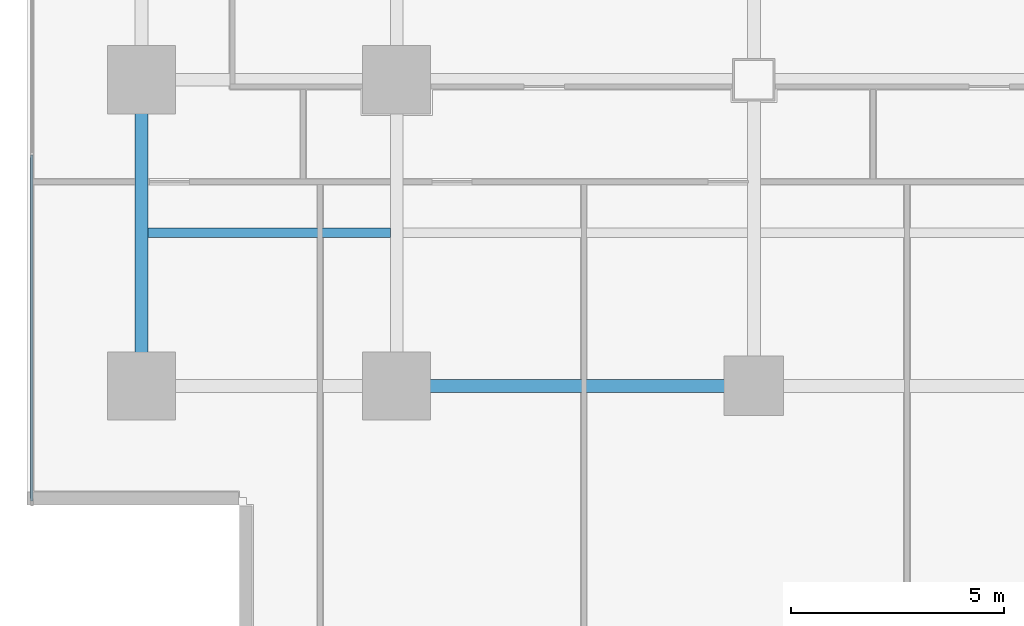
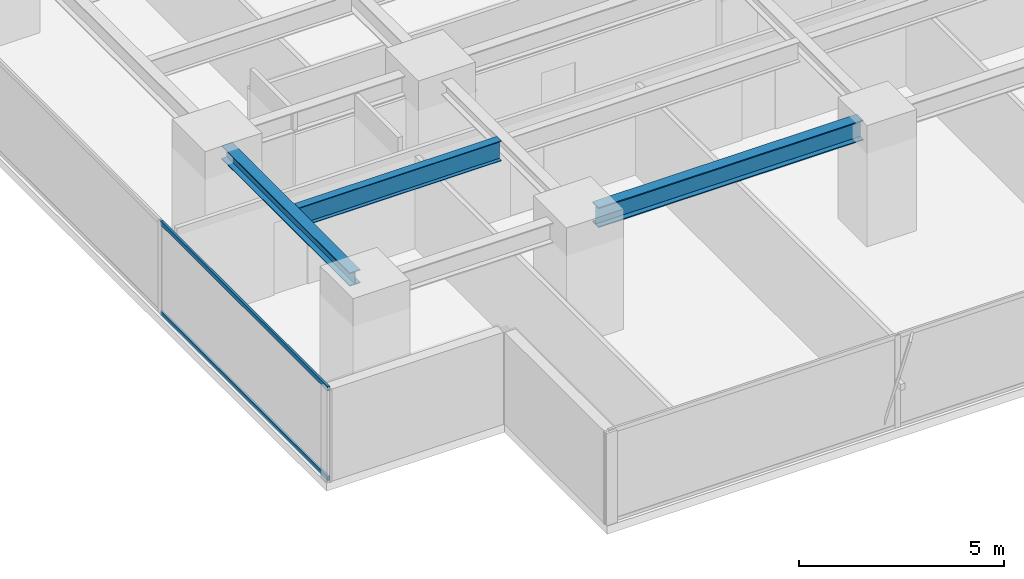
# One storey, part 3 of 36: 3 beams, 2 members, 1 element without a shape of its own.
"""IFC4 building model written with IfcOpenShell, lengths in metres."""

from ifc_helpers import new_model, si_unit, direction, frame, origin, origin_2d, place, context, subcontext, project, spatial, hollow_rectangle, i_section, extrude, source, transform, mapped, material, layer, layer_set, material_profile, profile_set, type_object, element, aggregate, save


model = new_model("IFC4")

# Units and contexts
model_context = context("Model", 3, precision=1e-05, world=origin(), true_north=direction((0.0, 1.0)))
body_context = subcontext(model_context, "Body", "Model", "MODEL_VIEW")
ifc_project = project(units=[si_unit("LENGTHUNIT", "METRE"), si_unit("AREAUNIT", "SQUARE_METRE"), si_unit("VOLUMEUNIT", "CUBIC_METRE"), si_unit("PLANEANGLEUNIT", "RADIAN"), si_unit("MASSUNIT", "GRAM", prefix="KILO")], contexts=[model_context])

# Site, building, storey
site_placement = place(None, origin())
site = spatial("IfcSite", under=ifc_project, at=site_placement, CompositionType="ELEMENT")
building_placement = place(site_placement, origin())
building = spatial("IfcBuilding", under=site, at=building_placement, Name="Sumidabori Civic Tower", CompositionType="ELEMENT")
storey_placement = place(building_placement, frame((0.0, 0.0, 84.800048828125)))
storey = spatial("IfcBuildingStorey", under=building, at=storey_placement, Name="L21", CompositionType="ELEMENT", Elevation=84.800048828125)

# Beams
ifc_material_1 = material(Name="Steel SN490", Category="steel")
ifc_material_profile_1 = material_profile(ifc_material_1, i_section(OverallWidth=0.300048828125, OverallDepth=0.60009765625, WebThickness=0.015380859375, FlangeThickness=0.030029296875, at=origin_2d()), Name="HE 600 B")
ifc_profile_set_1 = profile_set([ifc_material_profile_1], Name="Steel SN490")
beam_type_1 = type_object("IfcBeamType", Name="BM-GIRD-600", PredefinedType="BEAM", material=ifc_profile_set_1)
shared_shape_1 = source(origin(), body_context, "Body", "SweptSolid", [
    extrude(i_section(OverallWidth=0.300048828125, OverallDepth=0.60009765625, WebThickness=0.015380859375, FlangeThickness=0.030029296875, at=origin_2d()), origin(), (0.0, 0.0, 1.0), 7.440185546875),
])
beam_1_placement = place(storey_placement, frame((-16.320068359375, -18.0, 3.06005859375), z_axis=(1.0, 0.0, 0.0), x_axis=(0.0, 1.0, 0.0)))
element("IfcBeam", 1, at=beam_1_placement, inside=storey, type_object=beam_type_1, Name="Primary Girder L21 GX-02", PredefinedType="BEAM", context=body_context, shape_type="MappedRepresentation", body=[
    mapped(shared_shape_1, transform((0.0, 0.0, 0.0), x_axis=(1.0, 0.0, 0.0), y_axis=(0.0, 1.0, 0.0), z_axis=(0.0, 0.0, 1.0), scale=1.0)),
])
ifc_material_profile_2 = material_profile(ifc_material_1, i_section(OverallWidth=0.300048828125, OverallDepth=0.39990234375, WebThickness=0.013427734375, FlangeThickness=0.02392578125, at=origin_2d()), Name="HE 400 B")
ifc_profile_set_2 = profile_set([ifc_material_profile_2], Name="Steel SN490")
beam_type_2 = type_object("IfcBeamType", Name="BM-GIRD-400", PredefinedType="BEAM", material=ifc_profile_set_2)
shared_shape_2 = source(origin(), body_context, "Body", "SweptSolid", [
    extrude(i_section(OverallWidth=0.300048828125, OverallDepth=0.39990234375, WebThickness=0.013427734375, FlangeThickness=0.02392578125, at=origin_2d()), origin(), (0.0, 0.0, 1.0), 6.239990234375),
])
beam_2_placement = place(storey_placement, frame((-22.800048828125, -17.52001953125, 3.159912109375), z_axis=(0.0, 1.0, 0.0), x_axis=(-1.0, 0.0, 0.0)))
element("IfcBeam", 2, at=beam_2_placement, inside=storey, type_object=beam_type_2, Name="Primary Girder L21 GY-21", PredefinedType="BEAM", context=body_context, shape_type="MappedRepresentation", body=[
    mapped(shared_shape_2, transform((0.0, 0.0, 0.0), x_axis=(1.0, 0.0, 0.0), y_axis=(0.0, 1.0, 0.0), z_axis=(0.0, 0.0, 1.0), scale=1.0)),
])
ifc_material_profile_3 = material_profile(ifc_material_1, i_section(OverallWidth=0.219970703125, OverallDepth=0.60009765625, WebThickness=0.011962890625, FlangeThickness=0.01904296875, at=origin_2d()), Name="IPE 600")
ifc_profile_set_3 = profile_set([ifc_material_profile_3], Name="Steel SN490")
beam_type_3 = type_object("IfcBeamType", Name="BM-JST-600", PredefinedType="JOIST", material=ifc_profile_set_3)
shared_shape_3 = source(origin(), body_context, "Body", "SweptSolid", [
    extrude(i_section(OverallWidth=0.219970703125, OverallDepth=0.60009765625, WebThickness=0.011962890625, FlangeThickness=0.01904296875, at=origin_2d()), origin(), (0.0, 0.0, 1.0), 5.699951171875),
])
beam_3_placement = place(storey_placement, frame((-22.64990234375, -14.39990234375, 3.06005859375), z_axis=(1.0, 0.0, 0.0), x_axis=(0.0, 1.0, 0.0)))
element("IfcBeam", 3, at=beam_3_placement, inside=storey, type_object=beam_type_3, Name="Outer Bay Floor Joist L21 JSTO-51", PredefinedType="JOIST", context=body_context, shape_type="MappedRepresentation", body=[
    mapped(shared_shape_3, transform((0.0, 0.0, 0.0), x_axis=(1.0, 0.0, 0.0), y_axis=(0.0, 1.0, 0.0), z_axis=(0.0, 0.0, 1.0), scale=1.0)),
])

# Curtain wall, members
ifc_material_2 = material(Name="Anodised Bronze Aluminium AW-6063-T6", Category="aluminium")
ifc_layer = layer(ifc_material_2, 0.179931640625, Name="Anodised Bronze Aluminium AW-6063-T6")
ifc_layer_set = layer_set([ifc_layer], Name="Anodised Bronze Aluminium AW-6063-T6")
curtain_wall_type = type_object("IfcCurtainWallType", Name="CW-SYS-3", PredefinedType="NOTDEFINED", material=ifc_layer_set)
curtain_wall_placement = place(storey_placement, origin())
curtain_wall = element("IfcCurtainWall", 4, at=curtain_wall_placement, inside=storey, type_object=curtain_wall_type, Name="Curtain Wall CW:L21:R10", PredefinedType="NOTDEFINED")
ifc_material_profile_4 = material_profile(ifc_material_2, hollow_rectangle(XDim=0.06005859375, YDim=0.1298828125, WallThickness=0.0048828125, at=origin_2d()), Name="ALU TRANSOM 130x60")
ifc_profile_set_4 = profile_set([ifc_material_profile_4], Name="Anodised Bronze Aluminium AW-6063-T6")
member_type = type_object("IfcMemberType", Name="CW-TRN-130", PredefinedType="USERDEFINED", material=ifc_profile_set_4)
shared_shape_4 = source(origin(), body_context, "Body", "SweptSolid", [
    extrude(hollow_rectangle(XDim=0.06005859375, YDim=0.1298828125, WallThickness=0.0048828125, at=origin_2d()), origin(), (0.0, 0.0, 1.0), 8.130615234375),
])
member_1_placement = place(storey_placement, frame((-25.3798828125, -12.574462890625, 0.030029296875), z_axis=(0.0, -1.0, 0.0), x_axis=(1.0, 0.0, 0.0)))
member_1 = element("IfcMember", 5, at=member_1_placement, type_object=member_type, Name="CW-3 transom 5.1", ObjectType="TRANSOM", PredefinedType="USERDEFINED", context=body_context, shape_type="MappedRepresentation", body=[
    mapped(shared_shape_4, transform((0.0, 0.0, 0.0), x_axis=(1.0, 0.0, 0.0), y_axis=(0.0, 1.0, 0.0), z_axis=(0.0, 0.0, 1.0), scale=1.0)),
])
member_2_placement = place(storey_placement, frame((-25.3798828125, -12.574462890625, 2.7099609375), z_axis=(0.0, -1.0, 0.0), x_axis=(1.0, 0.0, 0.0)))
member_2 = element("IfcMember", 6, at=member_2_placement, type_object=member_type, Name="CW-3 transom 5.2", ObjectType="TRANSOM", PredefinedType="USERDEFINED", context=body_context, shape_type="MappedRepresentation", body=[
    mapped(shared_shape_4, transform((0.0, 0.0, 0.0), x_axis=(1.0, 0.0, 0.0), y_axis=(0.0, 1.0, 0.0), z_axis=(0.0, 0.0, 1.0), scale=1.0)),
])
aggregate(curtain_wall, [member_1, member_2])

save(model, "model.ifc")
